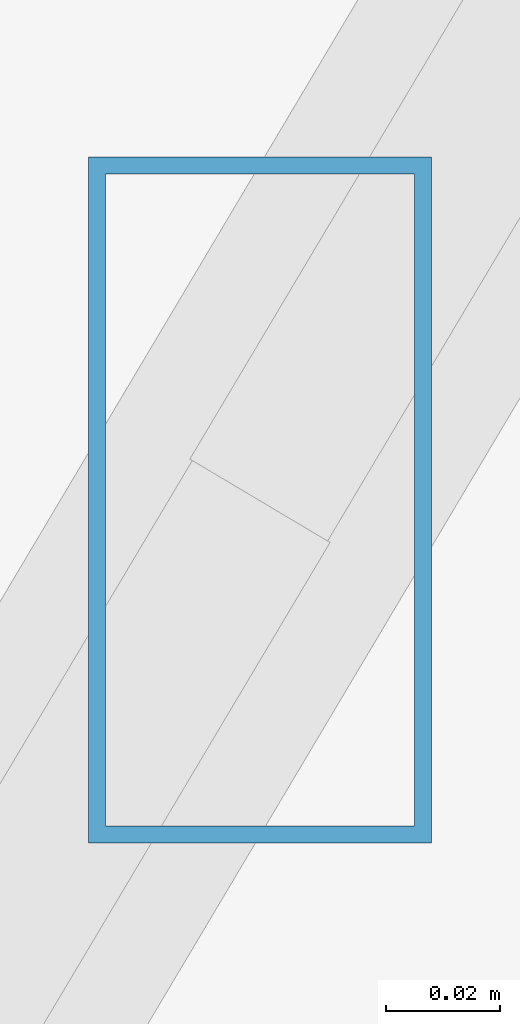
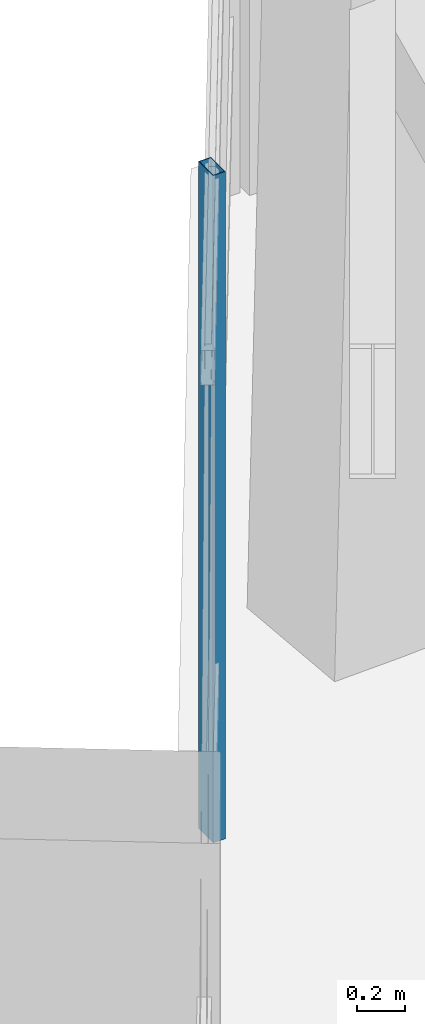
# One storey, part 33 of 47: 1 member, 1 element without a shape of its own.
"""IFC4 building model written with IfcOpenShell, lengths in metres."""

from ifc_helpers import new_model, si_unit, direction, frame, origin, origin_2d, place, context, subcontext, project, spatial, hollow_rectangle, extrude, source, transform, mapped, material, material_profile, profile_set, type_object, type_shapes, element, aggregate, save


model = new_model("IFC4")

# Units and contexts
model_context = context("Model", 3, precision=1e-05, world=origin(), true_north=direction((0.0, 1.0)))
body_context = subcontext(model_context, "Body", "Model", "MODEL_VIEW")
ifc_project = project(units=[si_unit("LENGTHUNIT", "METRE"), si_unit("AREAUNIT", "SQUARE_METRE"), si_unit("VOLUMEUNIT", "CUBIC_METRE"), si_unit("PLANEANGLEUNIT", "RADIAN"), si_unit("MASSUNIT", "GRAM", prefix="KILO")], contexts=[model_context])

# Site, building, storey
site_placement = place(None, origin())
site = spatial("IfcSite", under=ifc_project, at=site_placement, CompositionType="ELEMENT")
building_placement = place(site_placement, origin())
building = spatial("IfcBuilding", under=site, at=building_placement, Name="Caelisora Broadcast Tower", CompositionType="ELEMENT")
storey_placement = place(building_placement, frame((0.0, 0.0, 248.10009765625)))
storey = spatial("IfcBuildingStorey", under=building, at=storey_placement, Name="L65", CompositionType="ELEMENT", Elevation=248.10009765625)

# Curtain wall, member
ifc_material_1 = material(Name="Unitised Aluminium and Low-E Glass Curtain Wall", Category="glass")
curtain_wall_type = type_object("IfcCurtainWallType", Name="CW-Z5", PredefinedType="NOTDEFINED", material=ifc_material_1)
curtain_wall_placement = place(storey_placement, origin())
curtain_wall = element("IfcCurtainWall", 1, at=curtain_wall_placement, inside=storey, type_object=curtain_wall_type, Name="L65 curtain wall CW-Z5", PredefinedType="NOTDEFINED")
ifc_material_2 = material(Name="Aluminium 6063-T6 Anodised Terracotta Bronze", Category="aluminium")
ifc_material_profile = material_profile(ifc_material_2, hollow_rectangle(XDim=0.06005859375, YDim=0.1201171875, WallThickness=0.0029296875, at=origin_2d()), Name="Aluminium 6063-T6 Anodised Terracotta Bronze")
ifc_profile_set = profile_set([ifc_material_profile], Name="Aluminium 6063-T6 Anodised Terracotta Bronze")
member_type = type_object("IfcMemberType", Name="CWM-04", PredefinedType="MULLION", material=ifc_profile_set)
shared_shape = source(origin(), body_context, "Body", "SweptSolid", [
    extrude(hollow_rectangle(XDim=0.06005859375, YDim=0.1201171875, WallThickness=0.0029296875, at=origin_2d()), origin(), (0.0, 0.0, 1.0), 3.39990234375),
])
type_shapes(member_type, [shared_shape])
member_placement = place(storey_placement, frame((32.665283203125, 45.620849609375, 0.0), z_axis=(0.0, 0.0, 1.0), x_axis=(1.0, 0.0, 0.0)))
member = element("IfcMember", 2, at=member_placement, type_object=member_type, Name="L65-CW-B11 mullion #2", PredefinedType="MULLION", context=body_context, shape_type="MappedRepresentation", body=[
    mapped(shared_shape, transform((0.0, 0.0, 0.0), scale=1.0)),
])
aggregate(curtain_wall, [member])

save(model, "model.ifc")
